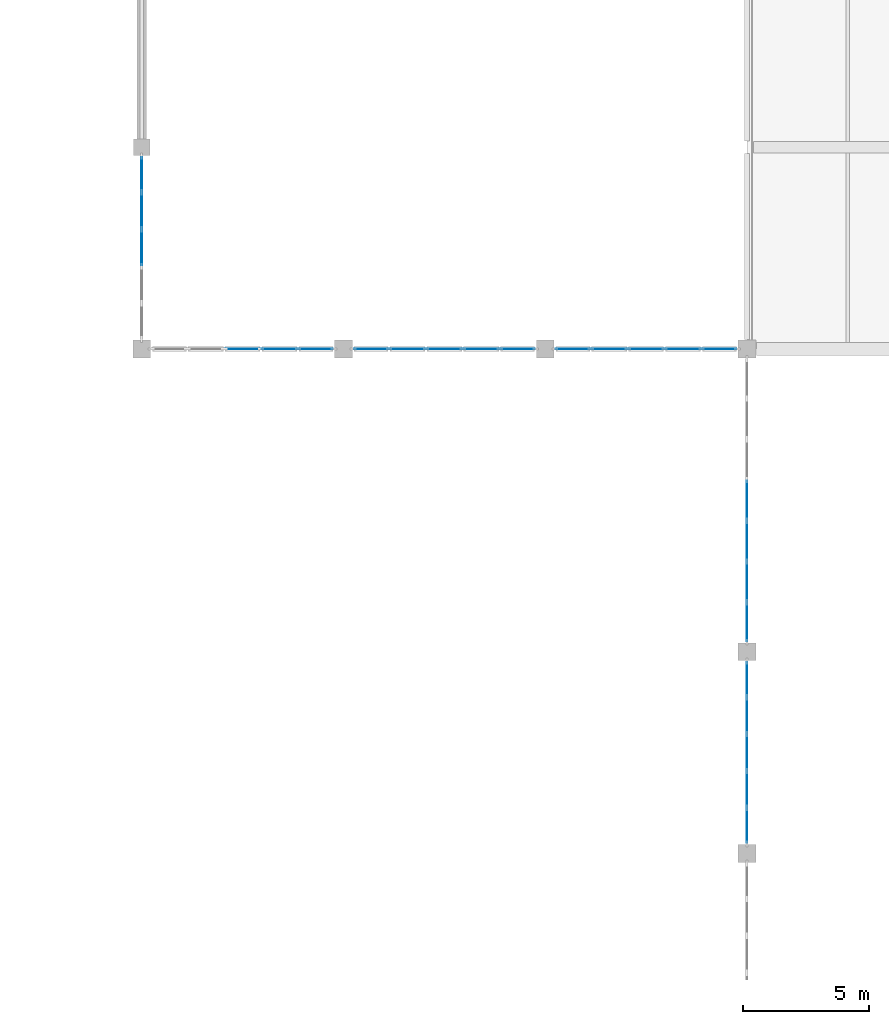
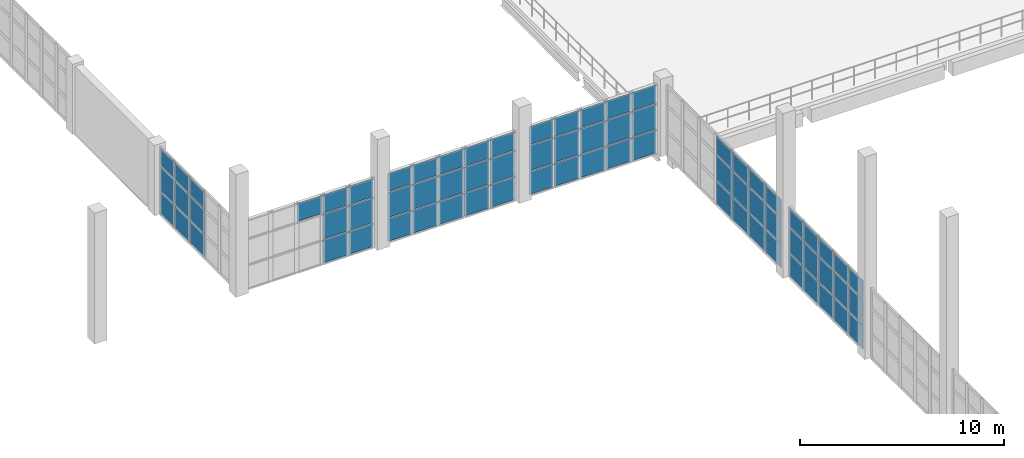
# One storey, part 40 of 66: 73 plates, 6 elements without a shape of their own.
"""IFC4 building model written with IfcOpenShell, lengths in metres."""

from ifc_helpers import new_model, si_unit, direction, frame, origin, origin_2d, place, context, subcontext, project, spatial, rectangle, extrude, material, layer, layer_set, type_object, element, aggregate, save


model = new_model("IFC4")

# Units and contexts
model_context = context("Model", 3, precision=1e-05, world=origin(), true_north=direction((0.0, 1.0)))
body_context = subcontext(model_context, "Body", "Model", "MODEL_VIEW")
ifc_project = project(units=[si_unit("LENGTHUNIT", "METRE"), si_unit("AREAUNIT", "SQUARE_METRE"), si_unit("VOLUMEUNIT", "CUBIC_METRE"), si_unit("PLANEANGLEUNIT", "RADIAN"), si_unit("MASSUNIT", "GRAM", prefix="KILO")], contexts=[model_context])

# Site, building, storey
site_placement = place(None, origin())
site = spatial("IfcSite", under=ifc_project, at=site_placement, CompositionType="ELEMENT")
building_placement = place(site_placement, origin())
building = spatial("IfcBuilding", under=site, at=building_placement, Name="Drelvana Railside Aquatics Centre", CompositionType="ELEMENT")
storey_placement = place(building_placement, frame((0.0, 0.0, 10.199951171875)))
storey = spatial("IfcBuildingStorey", under=building, at=storey_placement, Name="L02", CompositionType="ELEMENT", Elevation=10.199951171875)

# Curtain wall, plates
ifc_material_1 = material(Name="Bronze-anodised aluminium curtain wall", Category="aluminium")
ifc_layer_1 = layer(ifc_material_1, 0.219970703125, Name="Bronze-anodised aluminium curtain wall")
ifc_layer_set_1 = layer_set([ifc_layer_1], Name="Bronze-anodised aluminium curtain wall")
curtain_wall_type = type_object("IfcCurtainWallType", Name="CW-Z3-HIGH", PredefinedType="NOTDEFINED", material=ifc_layer_set_1)
curtain_wall_1_placement = place(storey_placement, origin())
curtain_wall_1 = element("IfcCurtainWall", 1, at=curtain_wall_1_placement, inside=storey, type_object=curtain_wall_type, Name="Curtain wall CW-03-022", PredefinedType="NOTDEFINED")
ifc_material_2 = material(Name="Double-glazed low-e solar-control glass", Category="glass")
ifc_layer_2 = layer(ifc_material_2, 0.035888671875, Name="Double-glazed low-e solar-control glass")
ifc_layer_set_2 = layer_set([ifc_layer_2], Name="Double-glazed low-e solar-control glass")
plate_type = type_object("IfcPlateType", Name="CW-Z3-HIGH-PAN", PredefinedType="CURTAIN_PANEL", material=ifc_layer_set_2)
plate_1_placement = place(storey_placement, frame((76.0, 84.0, 3.04736328125), z_axis=(0.0, 0.0, 1.0), x_axis=(1.0, 0.0, 0.0)))
plate_1 = element("IfcPlate", 2, at=plate_1_placement, type_object=plate_type, Name="CW-03 panel 3.3", PredefinedType="CURTAIN_PANEL", context=body_context, shape_type="SweptSolid", body=[
    extrude(rectangle(XDim=1.392333984375, YDim=0.035888671875, at=origin_2d()), origin(), (0.0, 0.0, 1.0), 1.072509765625),
])
plate_2_placement = place(storey_placement, frame((77.46240234375, 84.0, 0.06396484375), z_axis=(0.0, 0.0, 1.0), x_axis=(1.0, 0.0, 0.0)))
plate_2 = element("IfcPlate", 3, at=plate_2_placement, type_object=plate_type, Name="CW-03 panel 4.1", PredefinedType="CURTAIN_PANEL", context=body_context, shape_type="SweptSolid", body=[
    extrude(rectangle(XDim=1.392333984375, YDim=0.035888671875, at=origin_2d()), origin(), (0.0, 0.0, 1.0), 1.366455078125),
])
plate_3_placement = place(storey_placement, frame((77.46240234375, 84.0, 1.49560546875), z_axis=(0.0, 0.0, 1.0), x_axis=(1.0, 0.0, 0.0)))
plate_3 = element("IfcPlate", 4, at=plate_3_placement, type_object=plate_type, Name="CW-03 panel 4.2", PredefinedType="CURTAIN_PANEL", context=body_context, shape_type="SweptSolid", body=[
    extrude(rectangle(XDim=1.392333984375, YDim=0.035888671875, at=origin_2d()), origin(), (0.0, 0.0, 1.0), 1.487060546875),
])
plate_4_placement = place(storey_placement, frame((77.46240234375, 84.0, 3.04736328125), z_axis=(0.0, 0.0, 1.0), x_axis=(1.0, 0.0, 0.0)))
plate_4 = element("IfcPlate", 5, at=plate_4_placement, type_object=plate_type, Name="CW-03 panel 4.3", PredefinedType="CURTAIN_PANEL", context=body_context, shape_type="SweptSolid", body=[
    extrude(rectangle(XDim=1.392333984375, YDim=0.035888671875, at=origin_2d()), origin(), (0.0, 0.0, 1.0), 1.072509765625),
])
plate_5_placement = place(storey_placement, frame((78.90478515625, 84.0, 0.06396484375), z_axis=(0.0, 0.0, 1.0), x_axis=(1.0, 0.0, 0.0)))
plate_5 = element("IfcPlate", 6, at=plate_5_placement, type_object=plate_type, Name="CW-03 panel 5.1", PredefinedType="CURTAIN_PANEL", context=body_context, shape_type="SweptSolid", body=[
    extrude(rectangle(XDim=1.352294921875, YDim=0.035888671875, at=origin_2d()), origin(), (0.0, 0.0, 1.0), 1.366455078125),
])
plate_6_placement = place(storey_placement, frame((78.90478515625, 84.0, 1.49560546875), z_axis=(0.0, 0.0, 1.0), x_axis=(1.0, 0.0, 0.0)))
plate_6 = element("IfcPlate", 7, at=plate_6_placement, type_object=plate_type, Name="CW-03 panel 5.2", PredefinedType="CURTAIN_PANEL", context=body_context, shape_type="SweptSolid", body=[
    extrude(rectangle(XDim=1.352294921875, YDim=0.035888671875, at=origin_2d()), origin(), (0.0, 0.0, 1.0), 1.487060546875),
])
plate_7_placement = place(storey_placement, frame((78.90478515625, 84.0, 3.04736328125), z_axis=(0.0, 0.0, 1.0), x_axis=(1.0, 0.0, 0.0)))
plate_7 = element("IfcPlate", 8, at=plate_7_placement, type_object=plate_type, Name="CW-03 panel 5.3", PredefinedType="CURTAIN_PANEL", context=body_context, shape_type="SweptSolid", body=[
    extrude(rectangle(XDim=1.352294921875, YDim=0.035888671875, at=origin_2d()), origin(), (0.0, 0.0, 1.0), 1.072509765625),
])
aggregate(curtain_wall_1, [plate_1, plate_2, plate_3, plate_4, plate_5, plate_6, plate_7])

curtain_wall_2_placement = place(storey_placement, origin())
curtain_wall_2 = element("IfcCurtainWall", 9, at=curtain_wall_2_placement, inside=storey, type_object=curtain_wall_type, Name="Curtain wall CW-03-025", PredefinedType="NOTDEFINED")
plate_8_placement = place(storey_placement, frame((81.09521484375, 84.0, 0.06396484375), z_axis=(0.0, 0.0, 1.0), x_axis=(1.0, 0.0, 0.0)))
plate_8 = element("IfcPlate", 10, at=plate_8_placement, type_object=plate_type, Name="CW-03 panel 1.1", PredefinedType="CURTAIN_PANEL", context=body_context, shape_type="SweptSolid", body=[
    extrude(rectangle(XDim=1.352294921875, YDim=0.035888671875, at=origin_2d()), origin(), (0.0, 0.0, 1.0), 1.366455078125),
])
plate_9_placement = place(storey_placement, frame((81.09521484375, 84.0, 1.49560546875), z_axis=(0.0, 0.0, 1.0), x_axis=(1.0, 0.0, 0.0)))
plate_9 = element("IfcPlate", 11, at=plate_9_placement, type_object=plate_type, Name="CW-03 panel 1.2", PredefinedType="CURTAIN_PANEL", context=body_context, shape_type="SweptSolid", body=[
    extrude(rectangle(XDim=1.352294921875, YDim=0.035888671875, at=origin_2d()), origin(), (0.0, 0.0, 1.0), 1.487060546875),
])
plate_10_placement = place(storey_placement, frame((81.09521484375, 84.0, 3.04736328125), z_axis=(0.0, 0.0, 1.0), x_axis=(1.0, 0.0, 0.0)))
plate_10 = element("IfcPlate", 12, at=plate_10_placement, type_object=plate_type, Name="CW-03 panel 1.3", PredefinedType="CURTAIN_PANEL", context=body_context, shape_type="SweptSolid", body=[
    extrude(rectangle(XDim=1.352294921875, YDim=0.035888671875, at=origin_2d()), origin(), (0.0, 0.0, 1.0), 1.072509765625),
])
plate_11_placement = place(storey_placement, frame((82.53759765625, 84.0, 0.06396484375), z_axis=(0.0, 0.0, 1.0), x_axis=(1.0, 0.0, 0.0)))
plate_11 = element("IfcPlate", 13, at=plate_11_placement, type_object=plate_type, Name="CW-03 panel 2.1", PredefinedType="CURTAIN_PANEL", context=body_context, shape_type="SweptSolid", body=[
    extrude(rectangle(XDim=1.392333984375, YDim=0.035888671875, at=origin_2d()), origin(), (0.0, 0.0, 1.0), 1.366455078125),
])
plate_12_placement = place(storey_placement, frame((82.53759765625, 84.0, 1.49560546875), z_axis=(0.0, 0.0, 1.0), x_axis=(1.0, 0.0, 0.0)))
plate_12 = element("IfcPlate", 14, at=plate_12_placement, type_object=plate_type, Name="CW-03 panel 2.2", PredefinedType="CURTAIN_PANEL", context=body_context, shape_type="SweptSolid", body=[
    extrude(rectangle(XDim=1.392333984375, YDim=0.035888671875, at=origin_2d()), origin(), (0.0, 0.0, 1.0), 1.487060546875),
])
plate_13_placement = place(storey_placement, frame((82.53759765625, 84.0, 3.04736328125), z_axis=(0.0, 0.0, 1.0), x_axis=(1.0, 0.0, 0.0)))
plate_13 = element("IfcPlate", 15, at=plate_13_placement, type_object=plate_type, Name="CW-03 panel 2.3", PredefinedType="CURTAIN_PANEL", context=body_context, shape_type="SweptSolid", body=[
    extrude(rectangle(XDim=1.392333984375, YDim=0.035888671875, at=origin_2d()), origin(), (0.0, 0.0, 1.0), 1.072509765625),
])
plate_14_placement = place(storey_placement, frame((84.0, 84.0, 0.06396484375), z_axis=(0.0, 0.0, 1.0), x_axis=(1.0, 0.0, 0.0)))
plate_14 = element("IfcPlate", 16, at=plate_14_placement, type_object=plate_type, Name="CW-03 panel 3.1", PredefinedType="CURTAIN_PANEL", context=body_context, shape_type="SweptSolid", body=[
    extrude(rectangle(XDim=1.392333984375, YDim=0.035888671875, at=origin_2d()), origin(), (0.0, 0.0, 1.0), 1.366455078125),
])
plate_15_placement = place(storey_placement, frame((84.0, 84.0, 1.49560546875), z_axis=(0.0, 0.0, 1.0), x_axis=(1.0, 0.0, 0.0)))
plate_15 = element("IfcPlate", 17, at=plate_15_placement, type_object=plate_type, Name="CW-03 panel 3.2", PredefinedType="CURTAIN_PANEL", context=body_context, shape_type="SweptSolid", body=[
    extrude(rectangle(XDim=1.392333984375, YDim=0.035888671875, at=origin_2d()), origin(), (0.0, 0.0, 1.0), 1.487060546875),
])
plate_16_placement = place(storey_placement, frame((84.0, 84.0, 3.04736328125), z_axis=(0.0, 0.0, 1.0), x_axis=(1.0, 0.0, 0.0)))
plate_16 = element("IfcPlate", 18, at=plate_16_placement, type_object=plate_type, Name="CW-03 panel 3.3", PredefinedType="CURTAIN_PANEL", context=body_context, shape_type="SweptSolid", body=[
    extrude(rectangle(XDim=1.392333984375, YDim=0.035888671875, at=origin_2d()), origin(), (0.0, 0.0, 1.0), 1.072509765625),
])
plate_17_placement = place(storey_placement, frame((85.46240234375, 84.0, 0.06396484375), z_axis=(0.0, 0.0, 1.0), x_axis=(1.0, 0.0, 0.0)))
plate_17 = element("IfcPlate", 19, at=plate_17_placement, type_object=plate_type, Name="CW-03 panel 4.1", PredefinedType="CURTAIN_PANEL", context=body_context, shape_type="SweptSolid", body=[
    extrude(rectangle(XDim=1.392333984375, YDim=0.035888671875, at=origin_2d()), origin(), (0.0, 0.0, 1.0), 1.366455078125),
])
plate_18_placement = place(storey_placement, frame((85.46240234375, 84.0, 1.49560546875), z_axis=(0.0, 0.0, 1.0), x_axis=(1.0, 0.0, 0.0)))
plate_18 = element("IfcPlate", 20, at=plate_18_placement, type_object=plate_type, Name="CW-03 panel 4.2", PredefinedType="CURTAIN_PANEL", context=body_context, shape_type="SweptSolid", body=[
    extrude(rectangle(XDim=1.392333984375, YDim=0.035888671875, at=origin_2d()), origin(), (0.0, 0.0, 1.0), 1.487060546875),
])
plate_19_placement = place(storey_placement, frame((85.46240234375, 84.0, 3.04736328125), z_axis=(0.0, 0.0, 1.0), x_axis=(1.0, 0.0, 0.0)))
plate_19 = element("IfcPlate", 21, at=plate_19_placement, type_object=plate_type, Name="CW-03 panel 4.3", PredefinedType="CURTAIN_PANEL", context=body_context, shape_type="SweptSolid", body=[
    extrude(rectangle(XDim=1.392333984375, YDim=0.035888671875, at=origin_2d()), origin(), (0.0, 0.0, 1.0), 1.072509765625),
])
plate_20_placement = place(storey_placement, frame((86.90478515625, 84.0, 0.06396484375), z_axis=(0.0, 0.0, 1.0), x_axis=(1.0, 0.0, 0.0)))
plate_20 = element("IfcPlate", 22, at=plate_20_placement, type_object=plate_type, Name="CW-03 panel 5.1", PredefinedType="CURTAIN_PANEL", context=body_context, shape_type="SweptSolid", body=[
    extrude(rectangle(XDim=1.352294921875, YDim=0.035888671875, at=origin_2d()), origin(), (0.0, 0.0, 1.0), 1.366455078125),
])
plate_21_placement = place(storey_placement, frame((86.90478515625, 84.0, 1.49560546875), z_axis=(0.0, 0.0, 1.0), x_axis=(1.0, 0.0, 0.0)))
plate_21 = element("IfcPlate", 23, at=plate_21_placement, type_object=plate_type, Name="CW-03 panel 5.2", PredefinedType="CURTAIN_PANEL", context=body_context, shape_type="SweptSolid", body=[
    extrude(rectangle(XDim=1.352294921875, YDim=0.035888671875, at=origin_2d()), origin(), (0.0, 0.0, 1.0), 1.487060546875),
])
plate_22_placement = place(storey_placement, frame((86.90478515625, 84.0, 3.04736328125), z_axis=(0.0, 0.0, 1.0), x_axis=(1.0, 0.0, 0.0)))
plate_22 = element("IfcPlate", 24, at=plate_22_placement, type_object=plate_type, Name="CW-03 panel 5.3", PredefinedType="CURTAIN_PANEL", context=body_context, shape_type="SweptSolid", body=[
    extrude(rectangle(XDim=1.352294921875, YDim=0.035888671875, at=origin_2d()), origin(), (0.0, 0.0, 1.0), 1.072509765625),
])
aggregate(curtain_wall_2, [plate_8, plate_9, plate_10, plate_11, plate_12, plate_13, plate_14, plate_15, plate_16, plate_17, plate_18, plate_19, plate_20, plate_21, plate_22])

curtain_wall_3_placement = place(storey_placement, origin())
curtain_wall_3 = element("IfcCurtainWall", 25, at=curtain_wall_3_placement, inside=storey, type_object=curtain_wall_type, Name="Curtain wall CW-03-027", PredefinedType="NOTDEFINED")
plate_23_placement = place(storey_placement, frame((89.09521484375, 84.0, 0.06396484375), z_axis=(0.0, 0.0, 1.0), x_axis=(1.0, 0.0, 0.0)))
plate_23 = element("IfcPlate", 26, at=plate_23_placement, type_object=plate_type, Name="CW-03 panel 1.1", PredefinedType="CURTAIN_PANEL", context=body_context, shape_type="SweptSolid", body=[
    extrude(rectangle(XDim=1.352294921875, YDim=0.035888671875, at=origin_2d()), origin(), (0.0, 0.0, 1.0), 1.366455078125),
])
plate_24_placement = place(storey_placement, frame((89.09521484375, 84.0, 1.49560546875), z_axis=(0.0, 0.0, 1.0), x_axis=(1.0, 0.0, 0.0)))
plate_24 = element("IfcPlate", 27, at=plate_24_placement, type_object=plate_type, Name="CW-03 panel 1.2", PredefinedType="CURTAIN_PANEL", context=body_context, shape_type="SweptSolid", body=[
    extrude(rectangle(XDim=1.352294921875, YDim=0.035888671875, at=origin_2d()), origin(), (0.0, 0.0, 1.0), 1.487060546875),
])
plate_25_placement = place(storey_placement, frame((89.09521484375, 84.0, 3.04736328125), z_axis=(0.0, 0.0, 1.0), x_axis=(1.0, 0.0, 0.0)))
plate_25 = element("IfcPlate", 28, at=plate_25_placement, type_object=plate_type, Name="CW-03 panel 1.3", PredefinedType="CURTAIN_PANEL", context=body_context, shape_type="SweptSolid", body=[
    extrude(rectangle(XDim=1.352294921875, YDim=0.035888671875, at=origin_2d()), origin(), (0.0, 0.0, 1.0), 1.072509765625),
])
plate_26_placement = place(storey_placement, frame((90.53759765625, 84.0, 0.06396484375), z_axis=(0.0, 0.0, 1.0), x_axis=(1.0, 0.0, 0.0)))
plate_26 = element("IfcPlate", 29, at=plate_26_placement, type_object=plate_type, Name="CW-03 panel 2.1", PredefinedType="CURTAIN_PANEL", context=body_context, shape_type="SweptSolid", body=[
    extrude(rectangle(XDim=1.392333984375, YDim=0.035888671875, at=origin_2d()), origin(), (0.0, 0.0, 1.0), 1.366455078125),
])
plate_27_placement = place(storey_placement, frame((90.53759765625, 84.0, 1.49560546875), z_axis=(0.0, 0.0, 1.0), x_axis=(1.0, 0.0, 0.0)))
plate_27 = element("IfcPlate", 30, at=plate_27_placement, type_object=plate_type, Name="CW-03 panel 2.2", PredefinedType="CURTAIN_PANEL", context=body_context, shape_type="SweptSolid", body=[
    extrude(rectangle(XDim=1.392333984375, YDim=0.035888671875, at=origin_2d()), origin(), (0.0, 0.0, 1.0), 1.487060546875),
])
plate_28_placement = place(storey_placement, frame((90.53759765625, 84.0, 3.04736328125), z_axis=(0.0, 0.0, 1.0), x_axis=(1.0, 0.0, 0.0)))
plate_28 = element("IfcPlate", 31, at=plate_28_placement, type_object=plate_type, Name="CW-03 panel 2.3", PredefinedType="CURTAIN_PANEL", context=body_context, shape_type="SweptSolid", body=[
    extrude(rectangle(XDim=1.392333984375, YDim=0.035888671875, at=origin_2d()), origin(), (0.0, 0.0, 1.0), 1.072509765625),
])
plate_29_placement = place(storey_placement, frame((92.0, 84.0, 0.06396484375), z_axis=(0.0, 0.0, 1.0), x_axis=(1.0, 0.0, 0.0)))
plate_29 = element("IfcPlate", 32, at=plate_29_placement, type_object=plate_type, Name="CW-03 panel 3.1", PredefinedType="CURTAIN_PANEL", context=body_context, shape_type="SweptSolid", body=[
    extrude(rectangle(XDim=1.392333984375, YDim=0.035888671875, at=origin_2d()), origin(), (0.0, 0.0, 1.0), 1.366455078125),
])
plate_30_placement = place(storey_placement, frame((92.0, 84.0, 1.49560546875), z_axis=(0.0, 0.0, 1.0), x_axis=(1.0, 0.0, 0.0)))
plate_30 = element("IfcPlate", 33, at=plate_30_placement, type_object=plate_type, Name="CW-03 panel 3.2", PredefinedType="CURTAIN_PANEL", context=body_context, shape_type="SweptSolid", body=[
    extrude(rectangle(XDim=1.392333984375, YDim=0.035888671875, at=origin_2d()), origin(), (0.0, 0.0, 1.0), 1.487060546875),
])
plate_31_placement = place(storey_placement, frame((92.0, 84.0, 3.04736328125), z_axis=(0.0, 0.0, 1.0), x_axis=(1.0, 0.0, 0.0)))
plate_31 = element("IfcPlate", 34, at=plate_31_placement, type_object=plate_type, Name="CW-03 panel 3.3", PredefinedType="CURTAIN_PANEL", context=body_context, shape_type="SweptSolid", body=[
    extrude(rectangle(XDim=1.392333984375, YDim=0.035888671875, at=origin_2d()), origin(), (0.0, 0.0, 1.0), 1.072509765625),
])
plate_32_placement = place(storey_placement, frame((93.46240234375, 84.0, 0.06396484375), z_axis=(0.0, 0.0, 1.0), x_axis=(1.0, 0.0, 0.0)))
plate_32 = element("IfcPlate", 35, at=plate_32_placement, type_object=plate_type, Name="CW-03 panel 4.1", PredefinedType="CURTAIN_PANEL", context=body_context, shape_type="SweptSolid", body=[
    extrude(rectangle(XDim=1.392333984375, YDim=0.035888671875, at=origin_2d()), origin(), (0.0, 0.0, 1.0), 1.366455078125),
])
plate_33_placement = place(storey_placement, frame((93.46240234375, 84.0, 1.49560546875), z_axis=(0.0, 0.0, 1.0), x_axis=(1.0, 0.0, 0.0)))
plate_33 = element("IfcPlate", 36, at=plate_33_placement, type_object=plate_type, Name="CW-03 panel 4.2", PredefinedType="CURTAIN_PANEL", context=body_context, shape_type="SweptSolid", body=[
    extrude(rectangle(XDim=1.392333984375, YDim=0.035888671875, at=origin_2d()), origin(), (0.0, 0.0, 1.0), 1.487060546875),
])
plate_34_placement = place(storey_placement, frame((93.46240234375, 84.0, 3.04736328125), z_axis=(0.0, 0.0, 1.0), x_axis=(1.0, 0.0, 0.0)))
plate_34 = element("IfcPlate", 37, at=plate_34_placement, type_object=plate_type, Name="CW-03 panel 4.3", PredefinedType="CURTAIN_PANEL", context=body_context, shape_type="SweptSolid", body=[
    extrude(rectangle(XDim=1.392333984375, YDim=0.035888671875, at=origin_2d()), origin(), (0.0, 0.0, 1.0), 1.072509765625),
])
plate_35_placement = place(storey_placement, frame((94.90478515625, 84.0, 0.06396484375), z_axis=(0.0, 0.0, 1.0), x_axis=(1.0, 0.0, 0.0)))
plate_35 = element("IfcPlate", 38, at=plate_35_placement, type_object=plate_type, Name="CW-03 panel 5.1", PredefinedType="CURTAIN_PANEL", context=body_context, shape_type="SweptSolid", body=[
    extrude(rectangle(XDim=1.352294921875, YDim=0.035888671875, at=origin_2d()), origin(), (0.0, 0.0, 1.0), 1.366455078125),
])
plate_36_placement = place(storey_placement, frame((94.90478515625, 84.0, 1.49560546875), z_axis=(0.0, 0.0, 1.0), x_axis=(1.0, 0.0, 0.0)))
plate_36 = element("IfcPlate", 39, at=plate_36_placement, type_object=plate_type, Name="CW-03 panel 5.2", PredefinedType="CURTAIN_PANEL", context=body_context, shape_type="SweptSolid", body=[
    extrude(rectangle(XDim=1.352294921875, YDim=0.035888671875, at=origin_2d()), origin(), (0.0, 0.0, 1.0), 1.487060546875),
])
plate_37_placement = place(storey_placement, frame((94.90478515625, 84.0, 3.04736328125), z_axis=(0.0, 0.0, 1.0), x_axis=(1.0, 0.0, 0.0)))
plate_37 = element("IfcPlate", 40, at=plate_37_placement, type_object=plate_type, Name="CW-03 panel 5.3", PredefinedType="CURTAIN_PANEL", context=body_context, shape_type="SweptSolid", body=[
    extrude(rectangle(XDim=1.352294921875, YDim=0.035888671875, at=origin_2d()), origin(), (0.0, 0.0, 1.0), 1.072509765625),
])
aggregate(curtain_wall_3, [plate_23, plate_24, plate_25, plate_26, plate_27, plate_28, plate_29, plate_30, plate_31, plate_32, plate_33, plate_34, plate_35, plate_36, plate_37])

curtain_wall_4_placement = place(storey_placement, origin())
curtain_wall_4 = element("IfcCurtainWall", 41, at=curtain_wall_4_placement, inside=storey, type_object=curtain_wall_type, Name="Curtain wall CW-03-076", PredefinedType="NOTDEFINED")
plate_38_placement = place(storey_placement, frame((96.0, 65.09521484375, 0.06396484375), z_axis=(0.0, 0.0, 1.0), x_axis=(0.0, 1.0, 0.0)))
plate_38 = element("IfcPlate", 42, at=plate_38_placement, type_object=plate_type, Name="CW-03 panel 1.1", PredefinedType="CURTAIN_PANEL", context=body_context, shape_type="SweptSolid", body=[
    extrude(rectangle(XDim=1.352294921875, YDim=0.035888671875, at=origin_2d()), origin(), (0.0, 0.0, 1.0), 1.366455078125),
])
plate_39_placement = place(storey_placement, frame((96.0, 65.09521484375, 1.49560546875), z_axis=(0.0, 0.0, 1.0), x_axis=(0.0, 1.0, 0.0)))
plate_39 = element("IfcPlate", 43, at=plate_39_placement, type_object=plate_type, Name="CW-03 panel 1.2", PredefinedType="CURTAIN_PANEL", context=body_context, shape_type="SweptSolid", body=[
    extrude(rectangle(XDim=1.352294921875, YDim=0.035888671875, at=origin_2d()), origin(), (0.0, 0.0, 1.0), 1.487060546875),
])
plate_40_placement = place(storey_placement, frame((96.0, 65.09521484375, 3.04736328125), z_axis=(0.0, 0.0, 1.0), x_axis=(0.0, 1.0, 0.0)))
plate_40 = element("IfcPlate", 44, at=plate_40_placement, type_object=plate_type, Name="CW-03 panel 1.3", PredefinedType="CURTAIN_PANEL", context=body_context, shape_type="SweptSolid", body=[
    extrude(rectangle(XDim=1.352294921875, YDim=0.035888671875, at=origin_2d()), origin(), (0.0, 0.0, 1.0), 1.072509765625),
])
plate_41_placement = place(storey_placement, frame((96.0, 66.53759765625, 0.06396484375), z_axis=(0.0, 0.0, 1.0), x_axis=(0.0, 1.0, 0.0)))
plate_41 = element("IfcPlate", 45, at=plate_41_placement, type_object=plate_type, Name="CW-03 panel 2.1", PredefinedType="CURTAIN_PANEL", context=body_context, shape_type="SweptSolid", body=[
    extrude(rectangle(XDim=1.392333984375, YDim=0.035888671875, at=origin_2d()), origin(), (0.0, 0.0, 1.0), 1.366455078125),
])
plate_42_placement = place(storey_placement, frame((96.0, 66.53759765625, 1.49560546875), z_axis=(0.0, 0.0, 1.0), x_axis=(0.0, 1.0, 0.0)))
plate_42 = element("IfcPlate", 46, at=plate_42_placement, type_object=plate_type, Name="CW-03 panel 2.2", PredefinedType="CURTAIN_PANEL", context=body_context, shape_type="SweptSolid", body=[
    extrude(rectangle(XDim=1.392333984375, YDim=0.035888671875, at=origin_2d()), origin(), (0.0, 0.0, 1.0), 1.487060546875),
])
plate_43_placement = place(storey_placement, frame((96.0, 66.53759765625, 3.04736328125), z_axis=(0.0, 0.0, 1.0), x_axis=(0.0, 1.0, 0.0)))
plate_43 = element("IfcPlate", 47, at=plate_43_placement, type_object=plate_type, Name="CW-03 panel 2.3", PredefinedType="CURTAIN_PANEL", context=body_context, shape_type="SweptSolid", body=[
    extrude(rectangle(XDim=1.392333984375, YDim=0.035888671875, at=origin_2d()), origin(), (0.0, 0.0, 1.0), 1.072509765625),
])
plate_44_placement = place(storey_placement, frame((96.0, 68.0, 0.06396484375), z_axis=(0.0, 0.0, 1.0), x_axis=(0.0, 1.0, 0.0)))
plate_44 = element("IfcPlate", 48, at=plate_44_placement, type_object=plate_type, Name="CW-03 panel 3.1", PredefinedType="CURTAIN_PANEL", context=body_context, shape_type="SweptSolid", body=[
    extrude(rectangle(XDim=1.392333984375, YDim=0.035888671875, at=origin_2d()), origin(), (0.0, 0.0, 1.0), 1.366455078125),
])
plate_45_placement = place(storey_placement, frame((96.0, 68.0, 1.49560546875), z_axis=(0.0, 0.0, 1.0), x_axis=(0.0, 1.0, 0.0)))
plate_45 = element("IfcPlate", 49, at=plate_45_placement, type_object=plate_type, Name="CW-03 panel 3.2", PredefinedType="CURTAIN_PANEL", context=body_context, shape_type="SweptSolid", body=[
    extrude(rectangle(XDim=1.392333984375, YDim=0.035888671875, at=origin_2d()), origin(), (0.0, 0.0, 1.0), 1.487060546875),
])
plate_46_placement = place(storey_placement, frame((96.0, 68.0, 3.04736328125), z_axis=(0.0, 0.0, 1.0), x_axis=(0.0, 1.0, 0.0)))
plate_46 = element("IfcPlate", 50, at=plate_46_placement, type_object=plate_type, Name="CW-03 panel 3.3", PredefinedType="CURTAIN_PANEL", context=body_context, shape_type="SweptSolid", body=[
    extrude(rectangle(XDim=1.392333984375, YDim=0.035888671875, at=origin_2d()), origin(), (0.0, 0.0, 1.0), 1.072509765625),
])
plate_47_placement = place(storey_placement, frame((96.0, 69.46240234375, 0.06396484375), z_axis=(0.0, 0.0, 1.0), x_axis=(0.0, 1.0, 0.0)))
plate_47 = element("IfcPlate", 51, at=plate_47_placement, type_object=plate_type, Name="CW-03 panel 4.1", PredefinedType="CURTAIN_PANEL", context=body_context, shape_type="SweptSolid", body=[
    extrude(rectangle(XDim=1.392333984375, YDim=0.035888671875, at=origin_2d()), origin(), (0.0, 0.0, 1.0), 1.366455078125),
])
plate_48_placement = place(storey_placement, frame((96.0, 69.46240234375, 1.49560546875), z_axis=(0.0, 0.0, 1.0), x_axis=(0.0, 1.0, 0.0)))
plate_48 = element("IfcPlate", 52, at=plate_48_placement, type_object=plate_type, Name="CW-03 panel 4.2", PredefinedType="CURTAIN_PANEL", context=body_context, shape_type="SweptSolid", body=[
    extrude(rectangle(XDim=1.392333984375, YDim=0.035888671875, at=origin_2d()), origin(), (0.0, 0.0, 1.0), 1.487060546875),
])
plate_49_placement = place(storey_placement, frame((96.0, 69.46240234375, 3.04736328125), z_axis=(0.0, 0.0, 1.0), x_axis=(0.0, 1.0, 0.0)))
plate_49 = element("IfcPlate", 53, at=plate_49_placement, type_object=plate_type, Name="CW-03 panel 4.3", PredefinedType="CURTAIN_PANEL", context=body_context, shape_type="SweptSolid", body=[
    extrude(rectangle(XDim=1.392333984375, YDim=0.035888671875, at=origin_2d()), origin(), (0.0, 0.0, 1.0), 1.072509765625),
])
plate_50_placement = place(storey_placement, frame((96.0, 70.90478515625, 0.06396484375), z_axis=(0.0, 0.0, 1.0), x_axis=(0.0, 1.0, 0.0)))
plate_50 = element("IfcPlate", 54, at=plate_50_placement, type_object=plate_type, Name="CW-03 panel 5.1", PredefinedType="CURTAIN_PANEL", context=body_context, shape_type="SweptSolid", body=[
    extrude(rectangle(XDim=1.352294921875, YDim=0.035888671875, at=origin_2d()), origin(), (0.0, 0.0, 1.0), 1.366455078125),
])
plate_51_placement = place(storey_placement, frame((96.0, 70.90478515625, 1.49560546875), z_axis=(0.0, 0.0, 1.0), x_axis=(0.0, 1.0, 0.0)))
plate_51 = element("IfcPlate", 55, at=plate_51_placement, type_object=plate_type, Name="CW-03 panel 5.2", PredefinedType="CURTAIN_PANEL", context=body_context, shape_type="SweptSolid", body=[
    extrude(rectangle(XDim=1.352294921875, YDim=0.035888671875, at=origin_2d()), origin(), (0.0, 0.0, 1.0), 1.487060546875),
])
plate_52_placement = place(storey_placement, frame((96.0, 70.90478515625, 3.04736328125), z_axis=(0.0, 0.0, 1.0), x_axis=(0.0, 1.0, 0.0)))
plate_52 = element("IfcPlate", 56, at=plate_52_placement, type_object=plate_type, Name="CW-03 panel 5.3", PredefinedType="CURTAIN_PANEL", context=body_context, shape_type="SweptSolid", body=[
    extrude(rectangle(XDim=1.352294921875, YDim=0.035888671875, at=origin_2d()), origin(), (0.0, 0.0, 1.0), 1.072509765625),
])
aggregate(curtain_wall_4, [plate_38, plate_39, plate_40, plate_41, plate_42, plate_43, plate_44, plate_45, plate_46, plate_47, plate_48, plate_49, plate_50, plate_51, plate_52])

curtain_wall_5_placement = place(storey_placement, origin())
curtain_wall_5 = element("IfcCurtainWall", 57, at=curtain_wall_5_placement, inside=storey, type_object=curtain_wall_type, Name="Curtain wall CW-03-080", PredefinedType="NOTDEFINED")
plate_53_placement = place(storey_placement, frame((96.0, 73.172119140625, 0.06396484375), z_axis=(0.0, 0.0, 1.0), x_axis=(0.0, 1.0, 0.0)))
plate_53 = element("IfcPlate", 58, at=plate_53_placement, type_object=plate_type, Name="CW-03 panel 1.1", PredefinedType="CURTAIN_PANEL", context=body_context, shape_type="SweptSolid", body=[
    extrude(rectangle(XDim=1.506103515625, YDim=0.035888671875, at=origin_2d()), origin(), (0.0, 0.0, 1.0), 1.366455078125),
])
plate_54_placement = place(storey_placement, frame((96.0, 73.172119140625, 1.49560546875), z_axis=(0.0, 0.0, 1.0), x_axis=(0.0, 1.0, 0.0)))
plate_54 = element("IfcPlate", 59, at=plate_54_placement, type_object=plate_type, Name="CW-03 panel 1.2", PredefinedType="CURTAIN_PANEL", context=body_context, shape_type="SweptSolid", body=[
    extrude(rectangle(XDim=1.506103515625, YDim=0.035888671875, at=origin_2d()), origin(), (0.0, 0.0, 1.0), 1.487060546875),
])
plate_55_placement = place(storey_placement, frame((96.0, 73.172119140625, 3.04736328125), z_axis=(0.0, 0.0, 1.0), x_axis=(0.0, 1.0, 0.0)))
plate_55 = element("IfcPlate", 60, at=plate_55_placement, type_object=plate_type, Name="CW-03 panel 1.3", PredefinedType="CURTAIN_PANEL", context=body_context, shape_type="SweptSolid", body=[
    extrude(rectangle(XDim=1.506103515625, YDim=0.035888671875, at=origin_2d()), origin(), (0.0, 0.0, 1.0), 1.072509765625),
])
plate_56_placement = place(storey_placement, frame((96.0, 74.76806640625, 0.06396484375), z_axis=(0.0, 0.0, 1.0), x_axis=(0.0, 1.0, 0.0)))
plate_56 = element("IfcPlate", 61, at=plate_56_placement, type_object=plate_type, Name="CW-03 panel 2.1", PredefinedType="CURTAIN_PANEL", context=body_context, shape_type="SweptSolid", body=[
    extrude(rectangle(XDim=1.5458984375, YDim=0.035888671875, at=origin_2d()), origin(), (0.0, 0.0, 1.0), 1.366455078125),
])
plate_57_placement = place(storey_placement, frame((96.0, 74.76806640625, 1.49560546875), z_axis=(0.0, 0.0, 1.0), x_axis=(0.0, 1.0, 0.0)))
plate_57 = element("IfcPlate", 62, at=plate_57_placement, type_object=plate_type, Name="CW-03 panel 2.2", PredefinedType="CURTAIN_PANEL", context=body_context, shape_type="SweptSolid", body=[
    extrude(rectangle(XDim=1.5458984375, YDim=0.035888671875, at=origin_2d()), origin(), (0.0, 0.0, 1.0), 1.487060546875),
])
plate_58_placement = place(storey_placement, frame((96.0, 74.76806640625, 3.04736328125), z_axis=(0.0, 0.0, 1.0), x_axis=(0.0, 1.0, 0.0)))
plate_58 = element("IfcPlate", 63, at=plate_58_placement, type_object=plate_type, Name="CW-03 panel 2.3", PredefinedType="CURTAIN_PANEL", context=body_context, shape_type="SweptSolid", body=[
    extrude(rectangle(XDim=1.5458984375, YDim=0.035888671875, at=origin_2d()), origin(), (0.0, 0.0, 1.0), 1.072509765625),
])
plate_59_placement = place(storey_placement, frame((96.0, 76.384033203125, 0.06396484375), z_axis=(0.0, 0.0, 1.0), x_axis=(0.0, 1.0, 0.0)))
plate_59 = element("IfcPlate", 64, at=plate_59_placement, type_object=plate_type, Name="CW-03 panel 3.1", PredefinedType="CURTAIN_PANEL", context=body_context, shape_type="SweptSolid", body=[
    extrude(rectangle(XDim=1.5458984375, YDim=0.035888671875, at=origin_2d()), origin(), (0.0, 0.0, 1.0), 1.366455078125),
])
plate_60_placement = place(storey_placement, frame((96.0, 76.384033203125, 1.49560546875), z_axis=(0.0, 0.0, 1.0), x_axis=(0.0, 1.0, 0.0)))
plate_60 = element("IfcPlate", 65, at=plate_60_placement, type_object=plate_type, Name="CW-03 panel 3.2", PredefinedType="CURTAIN_PANEL", context=body_context, shape_type="SweptSolid", body=[
    extrude(rectangle(XDim=1.5458984375, YDim=0.035888671875, at=origin_2d()), origin(), (0.0, 0.0, 1.0), 1.487060546875),
])
plate_61_placement = place(storey_placement, frame((96.0, 76.384033203125, 3.04736328125), z_axis=(0.0, 0.0, 1.0), x_axis=(0.0, 1.0, 0.0)))
plate_61 = element("IfcPlate", 66, at=plate_61_placement, type_object=plate_type, Name="CW-03 panel 3.3", PredefinedType="CURTAIN_PANEL", context=body_context, shape_type="SweptSolid", body=[
    extrude(rectangle(XDim=1.5458984375, YDim=0.035888671875, at=origin_2d()), origin(), (0.0, 0.0, 1.0), 1.072509765625),
])
plate_62_placement = place(storey_placement, frame((96.0, 78.0, 0.06396484375), z_axis=(0.0, 0.0, 1.0), x_axis=(0.0, 1.0, 0.0)))
plate_62 = element("IfcPlate", 67, at=plate_62_placement, type_object=plate_type, Name="CW-03 panel 4.1", PredefinedType="CURTAIN_PANEL", context=body_context, shape_type="SweptSolid", body=[
    extrude(rectangle(XDim=1.5458984375, YDim=0.035888671875, at=origin_2d()), origin(), (0.0, 0.0, 1.0), 1.366455078125),
])
plate_63_placement = place(storey_placement, frame((96.0, 78.0, 1.49560546875), z_axis=(0.0, 0.0, 1.0), x_axis=(0.0, 1.0, 0.0)))
plate_63 = element("IfcPlate", 68, at=plate_63_placement, type_object=plate_type, Name="CW-03 panel 4.2", PredefinedType="CURTAIN_PANEL", context=body_context, shape_type="SweptSolid", body=[
    extrude(rectangle(XDim=1.5458984375, YDim=0.035888671875, at=origin_2d()), origin(), (0.0, 0.0, 1.0), 1.487060546875),
])
plate_64_placement = place(storey_placement, frame((96.0, 78.0, 3.04736328125), z_axis=(0.0, 0.0, 1.0), x_axis=(0.0, 1.0, 0.0)))
plate_64 = element("IfcPlate", 69, at=plate_64_placement, type_object=plate_type, Name="CW-03 panel 4.3", PredefinedType="CURTAIN_PANEL", context=body_context, shape_type="SweptSolid", body=[
    extrude(rectangle(XDim=1.5458984375, YDim=0.035888671875, at=origin_2d()), origin(), (0.0, 0.0, 1.0), 1.072509765625),
])
aggregate(curtain_wall_5, [plate_53, plate_54, plate_55, plate_56, plate_57, plate_58, plate_59, plate_60, plate_61, plate_62, plate_63, plate_64])

curtain_wall_6_placement = place(storey_placement, origin())
curtain_wall_6 = element("IfcCurtainWall", 70, at=curtain_wall_6_placement, inside=storey, type_object=curtain_wall_type, Name="Curtain wall CW-03-092", PredefinedType="NOTDEFINED")
plate_65_placement = place(storey_placement, frame((72.0, 88.012451171875, 0.064208984375), z_axis=(0.0, 0.0, 1.0), x_axis=(0.0, 1.0, 0.0)))
plate_65 = element("IfcPlate", 71, at=plate_65_placement, type_object=plate_type, Name="CW-03 panel 3.1", PredefinedType="CURTAIN_PANEL", context=body_context, shape_type="SweptSolid", body=[
    extrude(rectangle(XDim=1.3974609375, YDim=0.035888671875, at=origin_2d()), origin(), (0.0, 0.0, 1.0), 1.3173828125),
])
plate_66_placement = place(storey_placement, frame((72.0, 88.012451171875, 1.446533203125), z_axis=(0.0, 0.0, 1.0), x_axis=(0.0, 1.0, 0.0)))
plate_66 = element("IfcPlate", 72, at=plate_66_placement, type_object=plate_type, Name="CW-03 panel 3.2", PredefinedType="CURTAIN_PANEL", context=body_context, shape_type="SweptSolid", body=[
    extrude(rectangle(XDim=1.3974609375, YDim=0.035888671875, at=origin_2d()), origin(), (0.0, 0.0, 1.0), 1.43505859375),
])
plate_67_placement = place(storey_placement, frame((72.0, 88.012451171875, 2.94677734375), z_axis=(0.0, 0.0, 1.0), x_axis=(0.0, 1.0, 0.0)))
plate_67 = element("IfcPlate", 73, at=plate_67_placement, type_object=plate_type, Name="CW-03 panel 3.3", PredefinedType="CURTAIN_PANEL", context=body_context, shape_type="SweptSolid", body=[
    extrude(rectangle(XDim=1.3974609375, YDim=0.035888671875, at=origin_2d()), origin(), (0.0, 0.0, 1.0), 1.033447265625),
])
plate_68_placement = place(storey_placement, frame((72.0, 89.47998046875, 0.064208984375), z_axis=(0.0, 0.0, 1.0), x_axis=(0.0, 1.0, 0.0)))
plate_68 = element("IfcPlate", 74, at=plate_68_placement, type_object=plate_type, Name="CW-03 panel 4.1", PredefinedType="CURTAIN_PANEL", context=body_context, shape_type="SweptSolid", body=[
    extrude(rectangle(XDim=1.3974609375, YDim=0.035888671875, at=origin_2d()), origin(), (0.0, 0.0, 1.0), 1.3173828125),
])
plate_69_placement = place(storey_placement, frame((72.0, 89.47998046875, 1.446533203125), z_axis=(0.0, 0.0, 1.0), x_axis=(0.0, 1.0, 0.0)))
plate_69 = element("IfcPlate", 75, at=plate_69_placement, type_object=plate_type, Name="CW-03 panel 4.2", PredefinedType="CURTAIN_PANEL", context=body_context, shape_type="SweptSolid", body=[
    extrude(rectangle(XDim=1.3974609375, YDim=0.035888671875, at=origin_2d()), origin(), (0.0, 0.0, 1.0), 1.43505859375),
])
plate_70_placement = place(storey_placement, frame((72.0, 89.47998046875, 2.94677734375), z_axis=(0.0, 0.0, 1.0), x_axis=(0.0, 1.0, 0.0)))
plate_70 = element("IfcPlate", 76, at=plate_70_placement, type_object=plate_type, Name="CW-03 panel 4.3", PredefinedType="CURTAIN_PANEL", context=body_context, shape_type="SweptSolid", body=[
    extrude(rectangle(XDim=1.3974609375, YDim=0.035888671875, at=origin_2d()), origin(), (0.0, 0.0, 1.0), 1.033447265625),
])
plate_71_placement = place(storey_placement, frame((72.0, 90.92724609375, 0.064208984375), z_axis=(0.0, 0.0, 1.0), x_axis=(0.0, 1.0, 0.0)))
plate_71 = element("IfcPlate", 77, at=plate_71_placement, type_object=plate_type, Name="CW-03 panel 5.1", PredefinedType="CURTAIN_PANEL", context=body_context, shape_type="SweptSolid", body=[
    extrude(rectangle(XDim=1.357421875, YDim=0.035888671875, at=origin_2d()), origin(), (0.0, 0.0, 1.0), 1.3173828125),
])
plate_72_placement = place(storey_placement, frame((72.0, 90.92724609375, 1.446533203125), z_axis=(0.0, 0.0, 1.0), x_axis=(0.0, 1.0, 0.0)))
plate_72 = element("IfcPlate", 78, at=plate_72_placement, type_object=plate_type, Name="CW-03 panel 5.2", PredefinedType="CURTAIN_PANEL", context=body_context, shape_type="SweptSolid", body=[
    extrude(rectangle(XDim=1.357421875, YDim=0.035888671875, at=origin_2d()), origin(), (0.0, 0.0, 1.0), 1.43505859375),
])
plate_73_placement = place(storey_placement, frame((72.0, 90.92724609375, 2.94677734375), z_axis=(0.0, 0.0, 1.0), x_axis=(0.0, 1.0, 0.0)))
plate_73 = element("IfcPlate", 79, at=plate_73_placement, type_object=plate_type, Name="CW-03 panel 5.3", PredefinedType="CURTAIN_PANEL", context=body_context, shape_type="SweptSolid", body=[
    extrude(rectangle(XDim=1.357421875, YDim=0.035888671875, at=origin_2d()), origin(), (0.0, 0.0, 1.0), 1.033447265625),
])
aggregate(curtain_wall_6, [plate_65, plate_66, plate_67, plate_68, plate_69, plate_70, plate_71, plate_72, plate_73])

save(model, "model.ifc")
